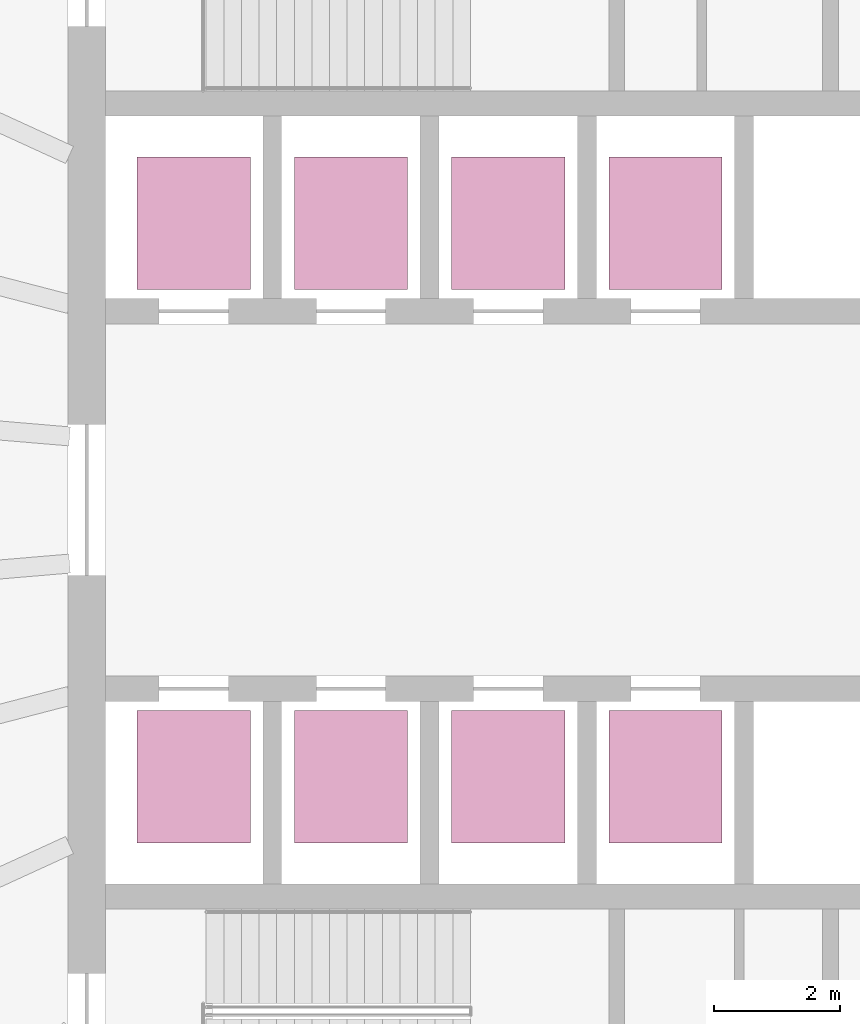
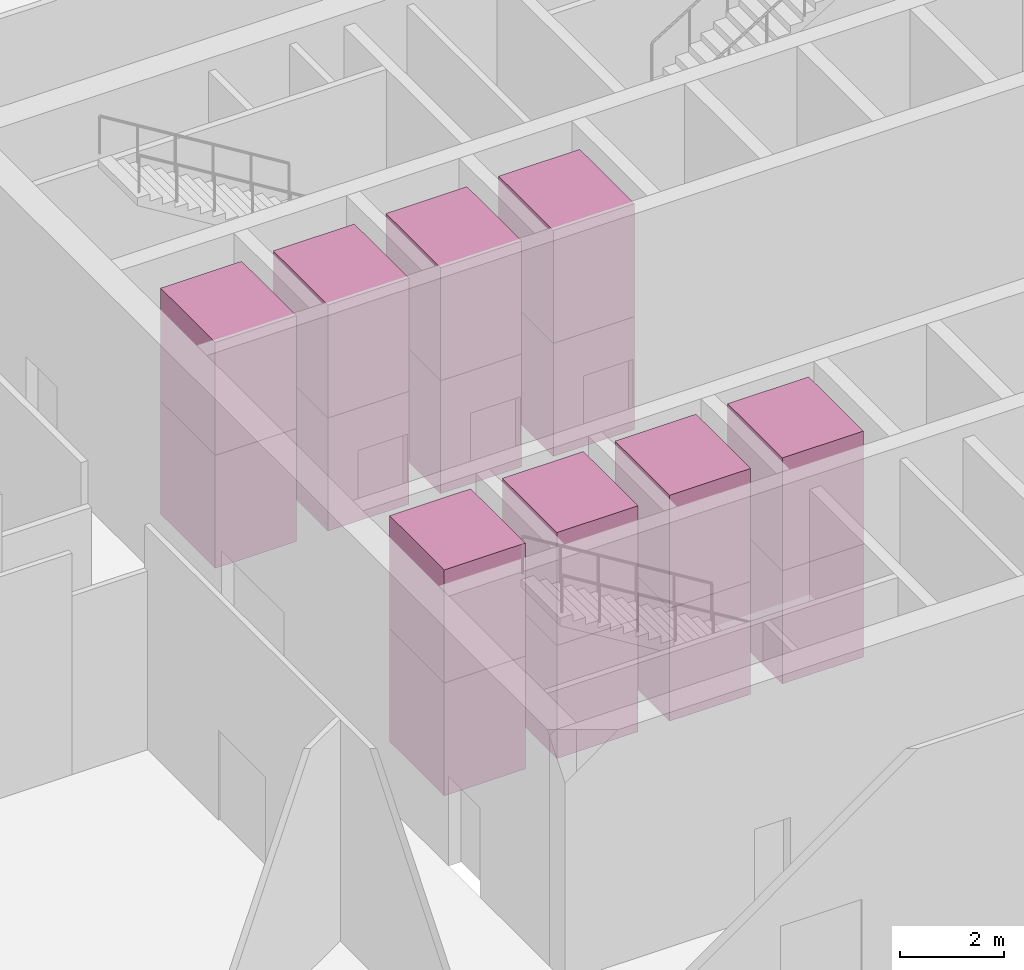
# One storey, part 26 of 26: 16 transport elements.
"""IFC4 building model written with IfcOpenShell, lengths in metres."""

import ifcopenshell
import ifcopenshell.guid

model = None  # the IFC model being written
_history = None  # IfcOwnerHistory: only IFC2X3 demands one
_inside = {}  # id of a spatial element -> (the spatial element, [elements in it])
_under = {}  # id of a project, library or spatial element -> (it, [spatial elements below it])
_declared = {}  # id of a project -> (the project, [libraries it declares])
_typed = {}  # id of a type object -> (the type object, [elements of that type])
_made_of = {}  # id of a material, layer set ... -> (it, [elements and type objects made of it])


def new_model(schema):
    """Start an empty IFC model of exactly this schema.

    Asked for "IFC4X3", IfcOpenShell would pick the latest addendum, in which some entities
    have other attributes; the version numbers below select the first issue.
    IFC2X3 requires an IfcOwnerHistory on every rooted entity: one is made here for all.
    """
    global model, _history
    if schema == "IFC4X3":
        model = ifcopenshell.file(schema_version=(4, 3, 0, 0))
    else:
        model = ifcopenshell.file(schema=schema)
    _inside.clear()
    _under.clear()
    _declared.clear()
    _typed.clear()
    _made_of.clear()
    _history = None
    if model.schema == "IFC2X3":
        org = make("IfcOrganization", Name="unknown")
        user = make(
            "IfcPersonAndOrganization",
            ThePerson=make("IfcPerson", FamilyName="unknown"),
            TheOrganization=org,
        )
        app = make(
            "IfcApplication",
            ApplicationDeveloper=org,
            Version="unknown",
            ApplicationFullName="unknown",
            ApplicationIdentifier="unknown",
        )
        _history = make(
            "IfcOwnerHistory",
            OwningUser=user,
            OwningApplication=app,
            ChangeAction="ADDED",
            CreationDate=0,
        )
    return model


def make(cls, **values):
    """One entity of the class cls with the attributes given. An attribute that is None is left unset."""
    return model.create_entity(
        cls, **{name: value for name, value in values.items() if value is not None}
    )


def rooted(cls, **values):
    """An entity with a GlobalId (a new one), such as an element, a storey or a relation."""
    return make(cls, GlobalId=ifcopenshell.guid.new(), OwnerHistory=_history, **values)


def si_unit(unit_type, name, prefix=None):
    """IfcSIUnit, for example si_unit("LENGTHUNIT", "METRE", prefix="MILLI")."""
    return make("IfcSIUnit", UnitType=unit_type, Prefix=prefix, Name=name)


def assignment(units):
    """IfcUnitAssignment: the units of a project."""
    return None if units is None else make("IfcUnitAssignment", Units=units)


def point(xyz):
    """IfcCartesianPoint."""
    return None if xyz is None else make("IfcCartesianPoint", Coordinates=xyz)


def direction(xyz):
    """IfcDirection."""
    return None if xyz is None else make("IfcDirection", DirectionRatios=xyz)


def frame(location, z_axis=None, x_axis=None):
    """IfcAxis2Placement3D, a coordinate frame: its origin and axes. An axis left out is left unset."""
    return make(
        "IfcAxis2Placement3D",
        Location=point(location),
        Axis=direction(z_axis),
        RefDirection=direction(x_axis),
    )


def frame_2d(location, x_axis=None):
    """IfcAxis2Placement2D, a coordinate frame in the plane: its origin and x axis."""
    return make(
        "IfcAxis2Placement2D", Location=point(location), RefDirection=direction(x_axis)
    )


def origin():
    """The frame at (0, 0, 0) with its axes left unset."""
    return frame((0.0, 0.0, 0.0))


def origin_2d():
    """The frame at (0, 0) in the plane with its x axis left unset."""
    return frame_2d((0.0, 0.0))


def place(relative_to, where):
    """IfcLocalPlacement: puts the frame where relative to a parent placement (None: the world)."""
    return make(
        "IfcLocalPlacement", PlacementRelTo=relative_to, RelativePlacement=where
    )


def context(
    kind, dimensions, precision=None, world=None, true_north=None, identifier=None
):
    """IfcGeometricRepresentationContext, for example the 3D "Model" context."""
    return make(
        "IfcGeometricRepresentationContext",
        ContextIdentifier=identifier,
        ContextType=kind,
        CoordinateSpaceDimension=dimensions,
        Precision=precision,
        WorldCoordinateSystem=world,
        TrueNorth=true_north,
    )


def subcontext(parent, identifier, kind, view, scale=None):
    """IfcGeometricRepresentationSubContext, for example "Body" below "Model"."""
    return make(
        "IfcGeometricRepresentationSubContext",
        ContextIdentifier=identifier,
        ContextType=kind,
        ParentContext=parent,
        TargetScale=scale,
        TargetView=view,
    )


def project(units=None, contexts=None):
    """IfcProject with its units and contexts."""
    return rooted(
        "IfcProject",
        Name="project",
        RepresentationContexts=contexts,
        UnitsInContext=assignment(units),
    )


def spatial(cls, under=None, at=None, **own):
    """A site, building, storey or space (cls), placed at a placement, below another one or the project."""
    s = rooted(cls, ObjectPlacement=at, **own)
    if under is not None:
        _under.setdefault(under.id(), (under, []))[1].append(s)
    return s


def profile(cls, at=None, kind="AREA", **sizes):
    """A parametric profile (cls). Its sizes go by their IFC names, for example OverallWidth=200.0."""
    return make(cls, ProfileType=kind, Position=at, **sizes)


def rectangle(**sizes):
    """IfcRectangleProfileDef."""
    return profile("IfcRectangleProfileDef", **sizes)


def extrude(swept, where, along, depth):
    """IfcExtrudedAreaSolid: the profile swept, set in the frame where, extruded along a direction by depth."""
    return make(
        "IfcExtrudedAreaSolid",
        SweptArea=swept,
        Position=where,
        ExtrudedDirection=direction(along),
        Depth=depth,
    )


def shape(context_of_items, identifier, shape_type, items):
    """IfcShapeRepresentation: the items that make up one representation, for example the "Body"."""
    return make(
        "IfcShapeRepresentation",
        ContextOfItems=context_of_items,
        RepresentationIdentifier=identifier,
        RepresentationType=shape_type,
        Items=items,
    )


def material(Name=None, Category=None):
    """IfcMaterial."""
    return make("IfcMaterial", Name=Name, Category=Category)


def made_of(thing, what):
    """Note that an element or type object is made of a material, layer set ...; save() writes the relation."""
    if what is not None:
        _made_of.setdefault(what.id(), (what, []))[1].append(thing)
    return thing


def type_object(cls, material=None, **own):
    """A type object (cls), such as IfcWallType, which elements share."""
    return made_of(rooted(cls, **own), material)


def element(
    cls,
    number,
    at=None,
    inside=None,
    cuts=None,
    type_object=None,
    material=None,
    context=None,
    identifier="Body",
    shape_type=None,
    held_by="IfcProductDefinitionShape",
    body=None,
    shapes=None,
    **own,
):
    """One element of the class cls, such as IfcWall. Its Tag is "e" and its number.

    at: its placement. inside: the storey or other place that contains it. cuts: it is an
    opening in that element (IfcRelVoidsElement). A single representation is given by context,
    identifier, shape_type and body (its items); several are given by shapes. held_by: the class
    of the entity that holds the representations. save() writes the other relations.
    """
    e = rooted(cls, Tag="e%d" % number, ObjectPlacement=at, **own)
    if body is not None:
        shapes = [shape(context, identifier, shape_type, body)]
    if shapes is not None:
        e.Representation = make(held_by, Representations=shapes)
    if inside is not None:
        _inside.setdefault(inside.id(), (inside, []))[1].append(e)
    if cuts is not None:
        rooted(
            "IfcRelVoidsElement", RelatingBuildingElement=cuts, RelatedOpeningElement=e
        )
    if type_object is not None:
        _typed.setdefault(type_object.id(), (type_object, []))[1].append(e)
    return made_of(e, material)


def aggregate(whole, parts):
    """IfcRelAggregates: a whole, such as a stair, and the parts it consists of."""
    return rooted("IfcRelAggregates", RelatingObject=whole, RelatedObjects=parts)


def save(model, path):
    """Write the relations noted so far, then the file.

    IfcRelAggregates (storeys below a building ...), IfcRelContainedInSpatialStructure (elements
    in a storey), IfcRelDefinesByType, IfcRelAssociatesMaterial and IfcRelDeclares: one each for
    every whole, place, type object, material and project.
    """
    for whole, parts in _under.values():
        aggregate(whole, parts)
    for where, things in _inside.values():
        rooted(
            "IfcRelContainedInSpatialStructure",
            RelatedElements=things,
            RelatingStructure=where,
        )
    for kind, things in _typed.values():
        rooted("IfcRelDefinesByType", RelatedObjects=things, RelatingType=kind)
    for what, things in _made_of.values():
        rooted("IfcRelAssociatesMaterial", RelatedObjects=things, RelatingMaterial=what)
    for by, libraries in _declared.values():
        rooted("IfcRelDeclares", RelatingContext=by, RelatedDefinitions=libraries)
    model.write(path)


model = new_model("IFC4")

# Units and contexts
model_context = context("Model", 3, precision=1e-05, world=origin(), true_north=direction((0.0, 1.0)))
body_context = subcontext(model_context, "Body", "Model", "MODEL_VIEW")
ifc_project = project(units=[si_unit("LENGTHUNIT", "METRE"), si_unit("AREAUNIT", "SQUARE_METRE"), si_unit("VOLUMEUNIT", "CUBIC_METRE"), si_unit("PLANEANGLEUNIT", "RADIAN"), si_unit("MASSUNIT", "GRAM", prefix="KILO")], contexts=[model_context])

# Site, building, storey
site_placement = place(None, origin())
site = spatial("IfcSite", under=ifc_project, at=site_placement, CompositionType="ELEMENT")
building_placement = place(site_placement, origin())
building = spatial("IfcBuilding", under=site, at=building_placement, Name="Halqa Exchange Tower", CompositionType="ELEMENT")
storey_placement = place(building_placement, frame((0.0, 0.0, 18.0)))
storey = spatial("IfcBuildingStorey", under=building, at=storey_placement, Name="L03", CompositionType="ELEMENT", Elevation=18.0)

# Transport elements
ifc_material = material(Name="Stainless steel", Category="steel")
transport_element_type = type_object("IfcTransportElementType", Name="Low-rise passenger lift 1800 x 2100", PredefinedType="ELEVATOR", material=ifc_material)
for number, where, z_axis, x_axis, name in (
    (1, (-10.0, 4.39990234375, 0.0), (0.0, 0.0, 1.0), (1.0, 0.0, 0.0), "Low-rise passenger lift LR1"),
    (2, (-10.0, 4.39990234375, 2.650146484375), (0.0, 0.0, 1.0), (1.0, 0.0, 0.0), "Low-rise passenger lift LR1"),
    (3, (-7.5, 4.39990234375, 0.0), (0.0, 0.0, 1.0), (1.0, 0.0, 0.0), "Low-rise passenger lift LR2"),
    (4, (-7.5, 4.39990234375, 2.650146484375), (0.0, 0.0, 1.0), (1.0, 0.0, 0.0), "Low-rise passenger lift LR2"),
    (5, (-5.0, 4.39990234375, 0.0), (0.0, 0.0, 1.0), (1.0, 0.0, 0.0), "Low-rise passenger lift LR3"),
    (6, (-5.0, 4.39990234375, 2.650146484375), (0.0, 0.0, 1.0), (1.0, 0.0, 0.0), "Low-rise passenger lift LR3"),
    (7, (-2.5, 4.39990234375, 0.0), (0.0, 0.0, 1.0), (1.0, 0.0, 0.0), "Low-rise passenger lift LR4"),
    (8, (-2.5, 4.39990234375, 2.650146484375), (0.0, 0.0, 1.0), (1.0, 0.0, 0.0), "Low-rise passenger lift LR4"),
    (9, (-10.0, -4.39990234375, 0.0), (0.0, 0.0, 1.0), (1.0, 0.0, 0.0), "Low-rise passenger lift LR5"),
    (10, (-10.0, -4.39990234375, 2.650146484375), (0.0, 0.0, 1.0), (1.0, 0.0, 0.0), "Low-rise passenger lift LR5"),
    (11, (-7.5, -4.39990234375, 0.0), (0.0, 0.0, 1.0), (1.0, 0.0, 0.0), "Low-rise passenger lift LR6"),
    (12, (-7.5, -4.39990234375, 2.650146484375), (0.0, 0.0, 1.0), (1.0, 0.0, 0.0), "Low-rise passenger lift LR6"),
    (13, (-5.0, -4.39990234375, 0.0), (0.0, 0.0, 1.0), (1.0, 0.0, 0.0), "Low-rise passenger lift LR7"),
    (14, (-5.0, -4.39990234375, 2.650146484375), (0.0, 0.0, 1.0), (1.0, 0.0, 0.0), "Low-rise passenger lift LR7"),
    (15, (-2.5, -4.39990234375, 0.0), (0.0, 0.0, 1.0), (1.0, 0.0, 0.0), "Low-rise passenger lift LR8"),
    (16, (-2.5, -4.39990234375, 2.650146484375), (0.0, 0.0, 1.0), (1.0, 0.0, 0.0), "Low-rise passenger lift LR8"),
):
    element("IfcTransportElement", number, at=place(storey_placement, frame(where, z_axis=z_axis, x_axis=x_axis)), inside=storey, type_object=transport_element_type, Name=name, PredefinedType="ELEVATOR", context=body_context, shape_type="SweptSolid", body=[
        extrude(rectangle(XDim=1.800048828125, YDim=2.10009765625, at=origin_2d()), origin(), (0.0, 0.0, 1.0), 2.64990234375),
    ])

save(model, "model.ifc")
